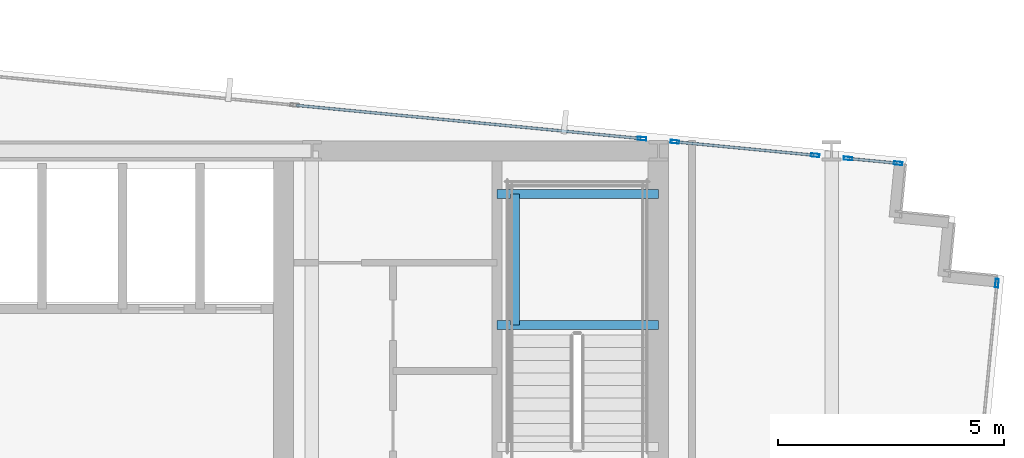
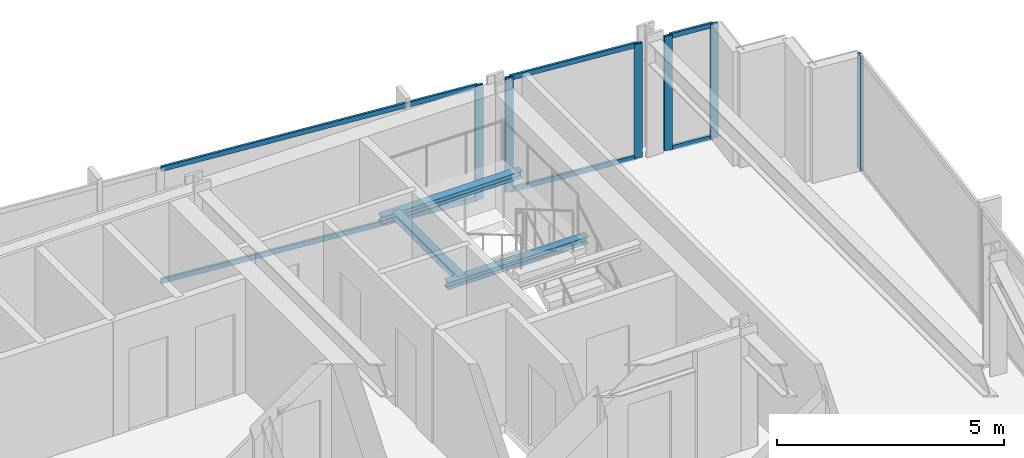
# One storey, part 27 of 37: 12 members, 3 beams, 4 elements without a shape of their own.
"""IFC4 building model written with IfcOpenShell, lengths in metres."""

from ifc_helpers import new_model, si_unit, direction, frame, origin, origin_2d, place, context, subcontext, project, spatial, hollow_rectangle, i_section, extrude, material, material_profile, profile_set, type_object, element, aggregate, save


model = new_model("IFC4")

# Units and contexts
model_context = context("Model", 3, precision=1e-05, world=origin(), true_north=direction((0.0, 1.0)))
body_context = subcontext(model_context, "Body", "Model", "MODEL_VIEW")
ifc_project = project(units=[si_unit("LENGTHUNIT", "METRE"), si_unit("AREAUNIT", "SQUARE_METRE"), si_unit("VOLUMEUNIT", "CUBIC_METRE"), si_unit("PLANEANGLEUNIT", "RADIAN"), si_unit("MASSUNIT", "GRAM", prefix="KILO")], contexts=[model_context])

# Site, building, storey
site_placement = place(None, origin())
site = spatial("IfcSite", under=ifc_project, at=site_placement, CompositionType="ELEMENT")
building_placement = place(site_placement, origin())
building = spatial("IfcBuilding", under=site, at=building_placement, Name="Yelkora Congress Tower", CompositionType="ELEMENT")
storey_placement = place(building_placement, frame((0.0, 0.0, 168.800048828125)))
storey = spatial("IfcBuildingStorey", under=building, at=storey_placement, Name="L46", CompositionType="ELEMENT", Elevation=168.800048828125)

# Beams
ifc_material_1 = material(Name="Steel S355J2", Category="steel")
ifc_material_profile_1 = material_profile(ifc_material_1, i_section(OverallWidth=0.199951171875, OverallDepth=0.18994140625, WebThickness=0.006591796875, FlangeThickness=0.010009765625, FilletRadius=0.01806640625, at=origin_2d()), Name="HEA 200")
ifc_profile_set_1 = profile_set([ifc_material_profile_1], Name="Steel S355J2")
beam_type = type_object("IfcBeamType", Name="BM-LAND-HEA200", PredefinedType="BEAM", material=ifc_profile_set_1)
for number, where, z_axis, x_axis, name in (
    (1, (50.179931640625, 42.340087890625, 1.33447265625), (1.0, 0.0, 0.0), (0.0, 1.0, 0.0), "ST-02 L46 Landing Header Beam 1S"),
    (2, (50.179931640625, 45.25, 1.33447265625), (1.0, 0.0, 0.0), (0.0, 1.0, 0.0), "ST-02 L46 Landing Header Beam 1N"),
):
    element("IfcBeam", number, at=place(storey_placement, frame(where, z_axis=z_axis, x_axis=x_axis)), inside=storey, type_object=beam_type, Name=name, PredefinedType="BEAM", context=body_context, shape_type="SweptSolid", body=[
        extrude(i_section(OverallWidth=0.199951171875, OverallDepth=0.18994140625, WebThickness=0.006591796875, FlangeThickness=0.010009765625, FilletRadius=0.01806640625, at=origin_2d()), origin(), (0.0, 0.0, 1.0), 3.580078125),
    ])
beam_placement = place(storey_placement, frame((50.580078125, 42.340087890625, 1.33447265625), z_axis=(0.0, 1.0, 0.0), x_axis=(-1.0, 0.0, 0.0)))
element("IfcBeam", 3, at=beam_placement, inside=storey, type_object=beam_type, Name="ST-02 L46 Landing Trimmer Beam 1M", PredefinedType="BEAM", context=body_context, shape_type="SweptSolid", body=[
    extrude(i_section(OverallWidth=0.199951171875, OverallDepth=0.18994140625, WebThickness=0.006591796875, FlangeThickness=0.010009765625, FilletRadius=0.01806640625, at=origin_2d()), origin(), (0.0, 0.0, 1.0), 2.909912109375),
])

# Curtain wall, member
ifc_material_2 = material(Name="Anodised aluminium and insulated glass", Category="aluminium")
curtain_wall_type = type_object("IfcCurtainWallType", Name="CW-SYS-B3", PredefinedType="NOTDEFINED", material=ifc_material_2)
curtain_wall_1_placement = place(storey_placement, origin())
curtain_wall_1 = element("IfcCurtainWall", 4, at=curtain_wall_1_placement, inside=storey, type_object=curtain_wall_type, Name="L46 Unitised Curtain Wall 10 (1)", PredefinedType="NOTDEFINED")
ifc_material_3 = material(Name="Anodised aluminium 6063-T6", Category="aluminium")
ifc_material_profile_2 = material_profile(ifc_material_3, hollow_rectangle(XDim=0.070068359375, YDim=0.18994140625, WallThickness=0.00390625, at=origin_2d()), Name="ALU 70x190x4")
ifc_profile_set_2 = profile_set([ifc_material_profile_2], Name="Anodised aluminium 6063-T6")
member_type_1 = type_object("IfcMemberType", Name="MEM-ML-B3", PredefinedType="MULLION", material=ifc_profile_set_2)
member_1_placement = place(storey_placement, frame((53.396240234375, 46.47314453125, 0.0), z_axis=(0.0, 0.0, 1.0), x_axis=(0.095844761168, 0.995396293823, 0.0)))
member_1 = element("IfcMember", 5, at=member_1_placement, type_object=member_type_1, Name="CW-B3 mullion 7", PredefinedType="MULLION", context=body_context, shape_type="SweptSolid", body=[
    extrude(hollow_rectangle(XDim=0.070068359375, YDim=0.18994140625, WallThickness=0.00390625, at=origin_2d()), origin(), (0.0, 0.0, 1.0), 3.079833984375),
])

# Curtain wall, members
curtain_wall_2_placement = place(storey_placement, origin())
curtain_wall_2 = element("IfcCurtainWall", 6, at=curtain_wall_2_placement, inside=storey, type_object=curtain_wall_type, Name="L46 Unitised Curtain Wall 10 (2)", PredefinedType="NOTDEFINED")
member_2_placement = place(storey_placement, frame((54.123779296875, 46.40283203125, 0.0), z_axis=(0.0, 0.0, 1.0), x_axis=(0.095848309157, 0.995395952188, 0.0)))
member_2 = element("IfcMember", 7, at=member_2_placement, type_object=member_type_1, Name="CW-B3 mullion 1", PredefinedType="MULLION", context=body_context, shape_type="SweptSolid", body=[
    extrude(hollow_rectangle(XDim=0.070068359375, YDim=0.18994140625, WallThickness=0.00390625, at=origin_2d()), origin(), (0.0, 0.0, 1.0), 3.079833984375),
])
member_3_placement = place(storey_placement, frame((57.236083984375, 46.103271484375, 0.0), z_axis=(0.0, 0.0, 1.0), x_axis=(0.095848309157, 0.995395952188, 0.0)))
member_3 = element("IfcMember", 8, at=member_3_placement, type_object=member_type_1, Name="CW-B3 mullion 2", PredefinedType="MULLION", context=body_context, shape_type="SweptSolid", body=[
    extrude(hollow_rectangle(XDim=0.070068359375, YDim=0.18994140625, WallThickness=0.00390625, at=origin_2d()), origin(), (0.0, 0.0, 1.0), 3.079833984375),
])

curtain_wall_3_placement = place(storey_placement, origin())
curtain_wall_3 = element("IfcCurtainWall", 9, at=curtain_wall_3_placement, inside=storey, type_object=curtain_wall_type, Name="L46 Unitised Curtain Wall 10 (3)", PredefinedType="NOTDEFINED")
member_4_placement = place(storey_placement, frame((57.9638671875, 46.033203125, 0.0), z_axis=(0.0, 0.0, 1.0), x_axis=(0.095852281686, 0.995395569658, 0.0)))
member_4 = element("IfcMember", 10, at=member_4_placement, type_object=member_type_1, Name="CW-B3 mullion 1", PredefinedType="MULLION", context=body_context, shape_type="SweptSolid", body=[
    extrude(hollow_rectangle(XDim=0.070068359375, YDim=0.18994140625, WallThickness=0.00390625, at=origin_2d()), origin(), (0.0, 0.0, 1.0), 3.079833984375),
])
member_5_placement = place(storey_placement, frame((59.073974609375, 45.92626953125, 0.0), z_axis=(0.0, 0.0, 1.0), x_axis=(0.095852281686, 0.995395569658, 0.0)))
member_5 = element("IfcMember", 11, at=member_5_placement, type_object=member_type_1, Name="CW-B3 mullion 2", PredefinedType="MULLION", context=body_context, shape_type="SweptSolid", body=[
    extrude(hollow_rectangle(XDim=0.070068359375, YDim=0.18994140625, WallThickness=0.00390625, at=origin_2d()), origin(), (0.0, 0.0, 1.0), 3.079833984375),
])

# Curtain wall, member
curtain_wall_4_placement = place(storey_placement, origin())
curtain_wall_4 = element("IfcCurtainWall", 12, at=curtain_wall_4_placement, inside=storey, type_object=curtain_wall_type, Name="L46 Unitised Curtain Wall 15", PredefinedType="NOTDEFINED")
member_6_placement = place(storey_placement, frame((61.26416015625, 43.26904296875, 0.0), z_axis=(0.0, 0.0, 1.0), x_axis=(0.995396565076, -0.095841944023, 0.0)))
member_6 = element("IfcMember", 13, at=member_6_placement, type_object=member_type_1, Name="CW-B3 mullion 1", PredefinedType="MULLION", context=body_context, shape_type="SweptSolid", body=[
    extrude(hollow_rectangle(XDim=0.070068359375, YDim=0.18994140625, WallThickness=0.00390625, at=origin_2d()), origin(), (0.0, 0.0, 1.0), 3.079833984375),
])
aggregate(curtain_wall_4, [member_6])

# Member
ifc_material_profile_3 = material_profile(ifc_material_3, hollow_rectangle(XDim=0.06005859375, YDim=0.1298828125, WallThickness=0.00390625, at=origin_2d()), Name="ALU 60x130x4")
ifc_profile_set_3 = profile_set([ifc_material_profile_3], Name="Anodised aluminium 6063-T6")
member_type_2 = type_object("IfcMemberType", Name="MEM-TR-B3", PredefinedType="USERDEFINED", material=ifc_profile_set_3)
member_7_placement = place(storey_placement, frame((45.732177734375, 47.2109375, 0.030029296875), z_axis=(0.99539600529, -0.095847757686, 0.0), x_axis=(0.095847757686, 0.99539600529, 0.0)))
member_7 = element("IfcMember", 14, at=member_7_placement, type_object=member_type_2, Name="CW-B3 transom 6.1", ObjectType="TRANSOM", PredefinedType="USERDEFINED", context=body_context, shape_type="SweptSolid", body=[
    extrude(hollow_rectangle(XDim=0.06005859375, YDim=0.1298828125, WallThickness=0.00390625, at=origin_2d()), origin(), (0.0, 0.0, 1.0), 7.66455078125),
])

member_8_placement = place(storey_placement, frame((45.732177734375, 47.2109375, 3.050048828125), z_axis=(0.99539600529, -0.095847757686, 0.0), x_axis=(0.095847757686, 0.99539600529, 0.0)))
member_8 = element("IfcMember", 15, at=member_8_placement, type_object=member_type_2, Name="CW-B3 transom 6.2", ObjectType="TRANSOM", PredefinedType="USERDEFINED", context=body_context, shape_type="SweptSolid", body=[
    extrude(hollow_rectangle(XDim=0.06005859375, YDim=0.1298828125, WallThickness=0.00390625, at=origin_2d()), origin(), (0.0, 0.0, 1.0), 7.66455078125),
])

aggregate(curtain_wall_1, [member_1, member_7, member_8])

member_9_placement = place(storey_placement, frame((54.15869140625, 46.399658203125, 0.030029296875), z_axis=(0.995396582455, -0.095841763536, 0.0), x_axis=(0.095841763536, 0.995396582455, 0.0)))
member_9 = element("IfcMember", 16, at=member_9_placement, type_object=member_type_2, Name="CW-B3 transom 1.1", ObjectType="TRANSOM", PredefinedType="USERDEFINED", context=body_context, shape_type="SweptSolid", body=[
    extrude(hollow_rectangle(XDim=0.06005859375, YDim=0.1298828125, WallThickness=0.00390625, at=origin_2d()), origin(), (0.0, 0.0, 1.0), 3.056884765625),
])

member_10_placement = place(storey_placement, frame((54.15869140625, 46.399658203125, 3.050048828125), z_axis=(0.995396582455, -0.095841763536, 0.0), x_axis=(0.095841763536, 0.995396582455, 0.0)))
member_10 = element("IfcMember", 17, at=member_10_placement, type_object=member_type_2, Name="CW-B3 transom 1.2", ObjectType="TRANSOM", PredefinedType="USERDEFINED", context=body_context, shape_type="SweptSolid", body=[
    extrude(hollow_rectangle(XDim=0.06005859375, YDim=0.1298828125, WallThickness=0.00390625, at=origin_2d()), origin(), (0.0, 0.0, 1.0), 3.056884765625),
])

aggregate(curtain_wall_2, [member_2, member_3, member_9, member_10])

member_11_placement = place(storey_placement, frame((57.998779296875, 46.02978515625, 0.030029296875), z_axis=(0.995402606714, -0.095779175957, 0.0), x_axis=(0.095779175957, 0.995402606714, 0.0)))
member_11 = element("IfcMember", 18, at=member_11_placement, type_object=member_type_2, Name="CW-B3 transom 1.1", ObjectType="TRANSOM", PredefinedType="USERDEFINED", context=body_context, shape_type="SweptSolid", body=[
    extrude(hollow_rectangle(XDim=0.06005859375, YDim=0.1298828125, WallThickness=0.00390625, at=origin_2d()), origin(), (0.0, 0.0, 1.0), 1.045166015625),
])

member_12_placement = place(storey_placement, frame((57.998779296875, 46.02978515625, 3.050048828125), z_axis=(0.995402606714, -0.095779175957, 0.0), x_axis=(0.095779175957, 0.995402606714, 0.0)))
member_12 = element("IfcMember", 19, at=member_12_placement, type_object=member_type_2, Name="CW-B3 transom 1.2", ObjectType="TRANSOM", PredefinedType="USERDEFINED", context=body_context, shape_type="SweptSolid", body=[
    extrude(hollow_rectangle(XDim=0.06005859375, YDim=0.1298828125, WallThickness=0.00390625, at=origin_2d()), origin(), (0.0, 0.0, 1.0), 1.045166015625),
])

aggregate(curtain_wall_3, [member_4, member_5, member_11, member_12])

save(model, "model.ifc")
